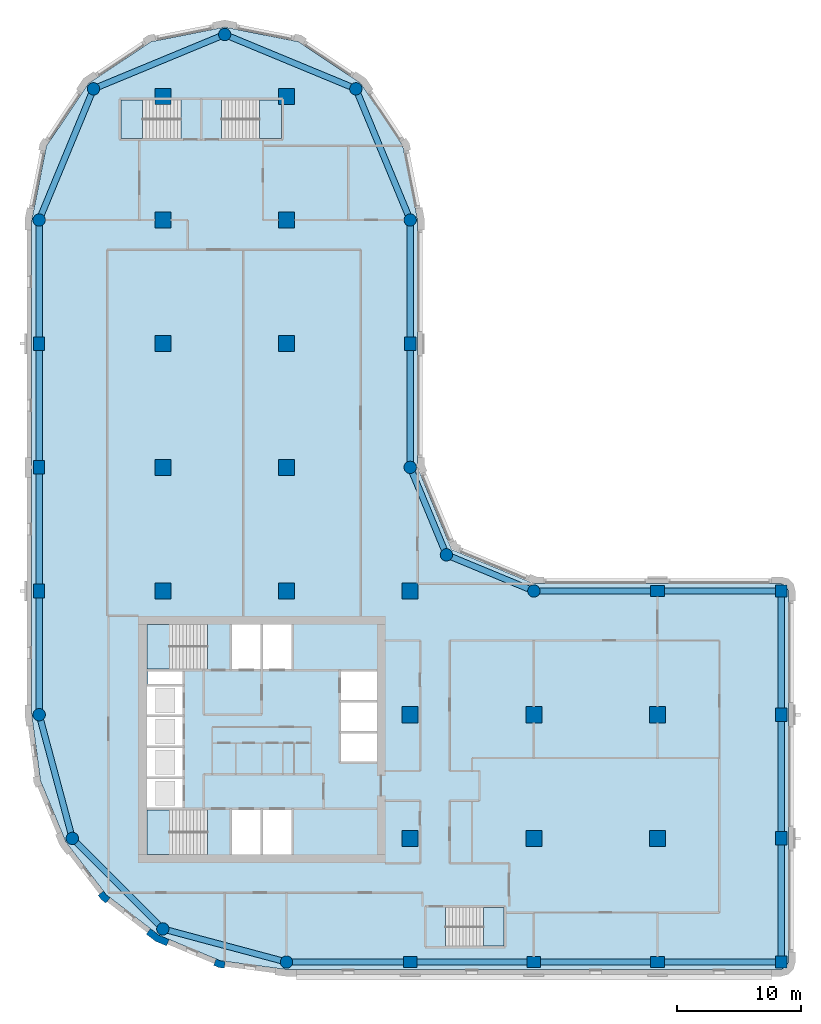
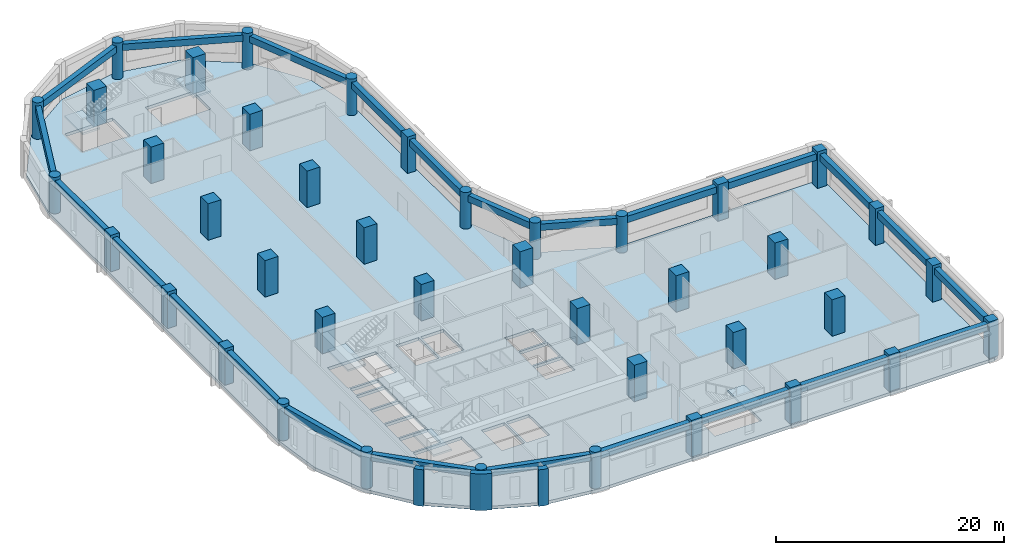
# One storey, part 1 of 9: 41 columns, 24 beams, 6 slabs, 3 walls, 5 elements without a shape of their own.
"""IFC4 building model written with IfcOpenShell, lengths in metres."""

from ifc_helpers import new_model, si_unit, direction, frame, origin, origin_2d, place, context, subcontext, project, spatial, polyline, rectangle, circle, outline, extrude, material, layer, layer_set, material_profile, profile_set, type_object, element, aggregate, save


model = new_model("IFC4")

# Units and contexts
model_context = context("Model", 3, precision=1e-05, world=origin(), true_north=direction((0.0, 1.0)))
body_context = subcontext(model_context, "Body", "Model", "MODEL_VIEW")
ifc_project = project(units=[si_unit("LENGTHUNIT", "METRE"), si_unit("AREAUNIT", "SQUARE_METRE"), si_unit("VOLUMEUNIT", "CUBIC_METRE"), si_unit("PLANEANGLEUNIT", "RADIAN"), si_unit("MASSUNIT", "GRAM", prefix="KILO")], contexts=[model_context])

# Site, building, storey
site_placement = place(None, origin())
site = spatial("IfcSite", under=ifc_project, at=site_placement, CompositionType="ELEMENT")
building_placement = place(site_placement, origin())
building = spatial("IfcBuilding", under=site, at=building_placement, Name="Qaws Garden Tower", CompositionType="ELEMENT")
storey_placement = place(building_placement, frame((0.0, 0.0, 143.39990234375)))
storey = spatial("IfcBuildingStorey", under=building, at=storey_placement, Name="L34", CompositionType="ELEMENT", Elevation=143.39990234375)

# Columns
ifc_material_1 = material(Name="Concrete C70", Category="concrete")
ifc_material_profile_1 = material_profile(ifc_material_1, rectangle(XDim=1.10009765625, YDim=0.89990234375, at=origin_2d()), Name="RC 1100x900")
ifc_profile_set_1 = profile_set([ifc_material_profile_1], Name="Concrete C70")
column_type_1 = type_object("IfcColumnType", Name="Column RC 1100x900 C70", PredefinedType="COLUMN", material=ifc_profile_set_1)
for number, where, z_axis, x_axis, name in (
    (1, (30.0, 0.0, 0.0), (0.0, 0.0, 1.0), (1.0, 0.0, 0.0), "Column L34-002"),
    (2, (40.0, 0.0, 0.0), (0.0, 0.0, 1.0), (1.0, 0.0, 0.0), "Column L34-003"),
    (3, (50.0, 0.0, 0.0), (0.0, 0.0, 1.0), (1.0, 0.0, 0.0), "Column L34-004"),
    (4, (60.0, 10.0, 0.0), (0.0, 0.0, 1.0), (0.0, 1.0, 0.0), "Column L34-006"),
    (5, (60.0, 20.0, 0.0), (0.0, 0.0, 1.0), (0.0, 1.0, 0.0), "Column L34-007"),
    (6, (50.0, 30.0, 0.0), (0.0, 0.0, 1.0), (1.0, 0.0, 0.0), "Column L34-009"),
    (7, (30.0, 50.0, 0.0), (0.0, 0.0, 1.0), (0.0, 1.0, 0.0), "Column L34-013"),
    (8, (0.0, 50.0, 0.0), (0.0, 0.0, 1.0), (0.0, 1.0, 0.0), "Column L34-019"),
    (9, (0.0, 40.0, 0.0), (0.0, 0.0, 1.0), (0.0, 1.0, 0.0), "Column L34-020"),
    (10, (0.0, 30.0, 0.0), (0.0, 0.0, 1.0), (0.0, 1.0, 0.0), "Column L34-021"),
):
    element("IfcColumn", number, at=place(storey_placement, frame(where, z_axis=z_axis, x_axis=x_axis)), inside=storey, type_object=column_type_1, Name=name, PredefinedType="COLUMN", context=body_context, shape_type="SweptSolid", body=[
        extrude(rectangle(XDim=1.10009765625, YDim=0.89990234375, at=origin_2d()), origin(), (0.0, 0.0, 1.0), 3.900146484375),
    ])
ifc_material_2 = material(Name="Concrete C70", Category="concrete")
ifc_material_profile_2 = material_profile(ifc_material_2, rectangle(XDim=1.300048828125, YDim=1.300048828125, at=origin_2d()), Name="RC 1300x1300")
ifc_profile_set_2 = profile_set([ifc_material_profile_2], Name="Concrete C70")
column_type_2 = type_object("IfcColumnType", Name="Column RC 1300x1300 C70", PredefinedType="COLUMN", material=ifc_profile_set_2)
for number, where, z_axis, x_axis, name in (
    (11, (10.0, 30.0, 0.0), (0.0, 0.0, 1.0), (1.0, 0.0, 0.0), "Column L34-025"),
    (12, (10.0, 40.0, 0.0), (0.0, 0.0, 1.0), (1.0, 0.0, 0.0), "Column L34-026"),
    (13, (10.0, 50.0, 0.0), (0.0, 0.0, 1.0), (1.0, 0.0, 0.0), "Column L34-027"),
    (14, (10.0, 60.0, 0.0), (0.0, 0.0, 1.0), (1.0, 0.0, 0.0), "Column L34-028"),
    (15, (10.0, 70.0, 0.0), (0.0, 0.0, 1.0), (1.0, 0.0, 0.0), "Column L34-029"),
    (16, (20.0, 30.0, 0.0), (0.0, 0.0, 1.0), (1.0, 0.0, 0.0), "Column L34-030"),
    (17, (20.0, 40.0, 0.0), (0.0, 0.0, 1.0), (1.0, 0.0, 0.0), "Column L34-031"),
    (18, (20.0, 50.0, 0.0), (0.0, 0.0, 1.0), (1.0, 0.0, 0.0), "Column L34-032"),
    (19, (20.0, 60.0, 0.0), (0.0, 0.0, 1.0), (1.0, 0.0, 0.0), "Column L34-033"),
    (20, (20.0, 70.0, 0.0), (0.0, 0.0, 1.0), (1.0, 0.0, 0.0), "Column L34-034"),
    (21, (30.0, 10.0, 0.0), (0.0, 0.0, 1.0), (1.0, 0.0, 0.0), "Column L34-035"),
    (22, (30.0, 20.0, 0.0), (0.0, 0.0, 1.0), (1.0, 0.0, 0.0), "Column L34-036"),
    (23, (30.0, 30.0, 0.0), (0.0, 0.0, 1.0), (1.0, 0.0, 0.0), "Column L34-037"),
    (24, (40.0, 10.0, 0.0), (0.0, 0.0, 1.0), (1.0, 0.0, 0.0), "Column L34-038"),
    (25, (40.0, 20.0, 0.0), (0.0, 0.0, 1.0), (1.0, 0.0, 0.0), "Column L34-039"),
    (26, (50.0, 10.0, 0.0), (0.0, 0.0, 1.0), (1.0, 0.0, 0.0), "Column L34-040"),
    (27, (50.0, 20.0, 0.0), (0.0, 0.0, 1.0), (1.0, 0.0, 0.0), "Column L34-041"),
):
    element("IfcColumn", number, at=place(storey_placement, frame(where, z_axis=z_axis, x_axis=x_axis)), inside=storey, type_object=column_type_2, Name=name, PredefinedType="COLUMN", context=body_context, shape_type="SweptSolid", body=[
        extrude(rectangle(XDim=1.300048828125, YDim=1.300048828125, at=origin_2d()), origin(), (0.0, 0.0, 1.0), 3.900146484375),
    ])
ifc_material_3 = material(Name="Concrete C70", Category="concrete")
ifc_material_profile_3 = material_profile(ifc_material_3, rectangle(XDim=0.949951171875, YDim=0.949951171875, at=origin_2d()), Name="RC 950x950")
ifc_profile_set_3 = profile_set([ifc_material_profile_3], Name="Concrete C70")
column_type_3 = type_object("IfcColumnType", Name="Column RC 950x950 C70", PredefinedType="COLUMN", material=ifc_profile_set_3)
for number, where, z_axis, x_axis, name in (
    (28, (60.0, 0.0, 0.0), (0.0, 0.0, 1.0), (1.0, 0.0, 0.0), "Column L34-005"),
    (29, (60.0, 30.0, 0.0), (0.0, 0.0, 1.0), (1.0, 0.0, 0.0), "Column L34-008"),
):
    element("IfcColumn", number, at=place(storey_placement, frame(where, z_axis=z_axis, x_axis=x_axis)), inside=storey, type_object=column_type_3, Name=name, PredefinedType="COLUMN", context=body_context, shape_type="SweptSolid", body=[
        extrude(rectangle(XDim=0.949951171875, YDim=0.949951171875, at=origin_2d()), origin(), (0.0, 0.0, 1.0), 3.900146484375),
    ])
ifc_material_4 = material(Name="Concrete C70", Category="concrete")
ifc_material_profile_4 = material_profile(ifc_material_4, circle(Radius=0.5, at=origin_2d()), Name="RC D1000")
ifc_profile_set_4 = profile_set([ifc_material_profile_4], Name="Concrete C70")
column_type_4 = type_object("IfcColumnType", Name="Column RC D1000 C70", PredefinedType="COLUMN", material=ifc_profile_set_4)
for number, where, z_axis, x_axis, name in (
    (30, (20.0, 0.0, 0.0), (0.0, 0.0, 1.0), (1.0, 0.0, 0.0), "Column L34-001"),
    (31, (40.0, 30.0, 0.0), (0.0, 0.0, 1.0), (1.0, 0.0, 0.0), "Column L34-010"),
    (32, (32.928955078125, 32.928955078125, 0.0), (0.0, 0.0, 1.0), (1.0, 0.0, 0.0), "Column L34-011"),
    (33, (30.0, 40.0, 0.0), (0.0, 0.0, 1.0), (1.0, 0.0, 0.0), "Column L34-012"),
    (34, (30.0, 60.0, 0.0), (0.0, 0.0, 1.0), (1.0, 0.0, 0.0), "Column L34-014"),
    (35, (25.606689453125, 70.606689453125, 0.0), (0.0, 0.0, 1.0), (1.0, 0.0, 0.0), "Column L34-015"),
    (36, (15.0, 75.0, 0.0), (0.0, 0.0, 1.0), (1.0, 0.0, 0.0), "Column L34-016"),
    (37, (4.393310546875, 70.606689453125, 0.0), (0.0, 0.0, 1.0), (1.0, 0.0, 0.0), "Column L34-017"),
    (38, (0.0, 60.0, 0.0), (0.0, 0.0, 1.0), (1.0, 0.0, 0.0), "Column L34-018"),
    (39, (0.0, 20.0, 0.0), (0.0, 0.0, 1.0), (1.0, 0.0, 0.0), "Column L34-022"),
    (40, (2.679443359375, 10.0, 0.0), (0.0, 0.0, 1.0), (1.0, 0.0, 0.0), "Column L34-023"),
    (41, (10.0, 2.679443359375, 0.0), (0.0, 0.0, 1.0), (1.0, 0.0, 0.0), "Column L34-024"),
):
    element("IfcColumn", number, at=place(storey_placement, frame(where, z_axis=z_axis, x_axis=x_axis)), inside=storey, type_object=column_type_4, Name=name, PredefinedType="COLUMN", context=body_context, shape_type="SweptSolid", body=[
        extrude(circle(Radius=0.5, at=origin_2d()), origin(), (0.0, 0.0, 1.0), 3.900146484375),
    ])

# Beams
ifc_material_5 = material(Name="Concrete C45", Category="concrete")
ifc_material_profile_5 = material_profile(ifc_material_5, rectangle(XDim=0.5, YDim=0.699951171875, at=origin_2d()), Name="RC 500x700")
ifc_profile_set_5 = profile_set([ifc_material_profile_5], Name="Concrete C45")
beam_type = type_object("IfcBeamType", Name="Spandrel beam RC 500x700 C45", PredefinedType="SPANDREL", material=ifc_profile_set_5)
for number, where, z_axis, x_axis, name in (
    (42, (20.0, 0.0, 3.22998046875), (1.0, 0.0, 0.0), (0.0, 1.0, 0.0), "Spandrel beam L34-001"),
    (43, (30.0, 0.0, 3.22998046875), (1.0, 0.0, 0.0), (0.0, 1.0, 0.0), "Spandrel beam L34-002"),
    (44, (40.0, 0.0, 3.22998046875), (1.0, 0.0, 0.0), (0.0, 1.0, 0.0), "Spandrel beam L34-003"),
    (45, (50.0, 0.0, 3.22998046875), (1.0, 0.0, 0.0), (0.0, 1.0, 0.0), "Spandrel beam L34-004"),
    (46, (60.0, 0.0, 3.22998046875), (0.0, 1.0, 0.0), (-1.0, 0.0, 0.0), "Spandrel beam L34-005"),
    (47, (60.0, 10.0, 3.22998046875), (0.0, 1.0, 0.0), (-1.0, 0.0, 0.0), "Spandrel beam L34-006"),
    (48, (60.0, 20.0, 3.22998046875), (0.0, 1.0, 0.0), (-1.0, 0.0, 0.0), "Spandrel beam L34-007"),
    (49, (60.0, 30.0, 3.22998046875), (-1.0, 0.0, 0.0), (0.0, -1.0, 0.0), "Spandrel beam L34-008"),
    (50, (50.0, 30.0, 3.22998046875), (-1.0, 0.0, 0.0), (0.0, -1.0, 0.0), "Spandrel beam L34-009"),
):
    element("IfcBeam", number, at=place(storey_placement, frame(where, z_axis=z_axis, x_axis=x_axis)), inside=storey, type_object=beam_type, Name=name, PredefinedType="SPANDREL", context=body_context, shape_type="SweptSolid", body=[
        extrude(rectangle(XDim=0.5, YDim=0.699951171875, at=origin_2d()), origin(), (0.0, 0.0, 1.0), 10.0),
    ])
for number, where, z_axis, x_axis, name in (
    (51, (40.0, 30.0, 3.22998046875), (-0.923878037141, 0.382687042488, 0.0), (-0.382687042488, -0.923878037141, 0.0), "Spandrel beam L34-010"),
    (52, (32.928955078125, 32.928955078125, 3.22998046875), (-0.382687042488, 0.923878037141, 0.0), (-0.923878037141, -0.382687042488, 0.0), "Spandrel beam L34-011"),
):
    element("IfcBeam", number, at=place(storey_placement, frame(where, z_axis=z_axis, x_axis=x_axis)), inside=storey, type_object=beam_type, Name=name, PredefinedType="SPANDREL", context=body_context, shape_type="SweptSolid", body=[
        extrude(rectangle(XDim=0.5, YDim=0.699951171875, at=origin_2d()), origin(), (0.0, 0.0, 1.0), 7.653564453125),
    ])
for number, where, z_axis, x_axis, name in (
    (53, (30.0, 40.0, 3.22998046875), (0.0, 1.0, 0.0), (-1.0, 0.0, 0.0), "Spandrel beam L34-012"),
    (54, (30.0, 50.0, 3.22998046875), (0.0, 1.0, 0.0), (-1.0, 0.0, 0.0), "Spandrel beam L34-013"),
):
    element("IfcBeam", number, at=place(storey_placement, frame(where, z_axis=z_axis, x_axis=x_axis)), inside=storey, type_object=beam_type, Name=name, PredefinedType="SPANDREL", context=body_context, shape_type="SweptSolid", body=[
        extrude(rectangle(XDim=0.5, YDim=0.699951171875, at=origin_2d()), origin(), (0.0, 0.0, 1.0), 10.0),
    ])
for number, where, z_axis, x_axis, name in (
    (55, (30.0, 60.0, 3.22998046875), (-0.382674207535, 0.923883353507, 0.0), (-0.923883353507, -0.382674207535, 0.0), "Spandrel beam L34-014"),
    (56, (25.606689453125, 70.606689453125, 3.22998046875), (-0.923883353507, 0.382674207535, 0.0), (-0.382674207535, -0.923883353507, 0.0), "Spandrel beam L34-015"),
    (57, (15.0, 75.0, 3.22998046875), (-0.923883353507, -0.382674207535, 0.0), (0.382674207535, -0.923883353507, 0.0), "Spandrel beam L34-016"),
    (58, (4.393310546875, 70.606689453125, 3.22998046875), (-0.382674207535, -0.923883353507, 0.0), (0.923883353507, -0.382674207535, 0.0), "Spandrel beam L34-017"),
):
    element("IfcBeam", number, at=place(storey_placement, frame(where, z_axis=z_axis, x_axis=x_axis)), inside=storey, type_object=beam_type, Name=name, PredefinedType="SPANDREL", context=body_context, shape_type="SweptSolid", body=[
        extrude(rectangle(XDim=0.5, YDim=0.699951171875, at=origin_2d()), origin(), (0.0, 0.0, 1.0), 11.48046875),
    ])
for number, where, z_axis, x_axis, name in (
    (59, (0.0, 60.0, 3.22998046875), (0.0, -1.0, 0.0), (1.0, 0.0, 0.0), "Spandrel beam L34-018"),
    (60, (0.0, 50.0, 3.22998046875), (0.0, -1.0, 0.0), (1.0, 0.0, 0.0), "Spandrel beam L34-019"),
    (61, (0.0, 40.0, 3.22998046875), (0.0, -1.0, 0.0), (1.0, 0.0, 0.0), "Spandrel beam L34-020"),
    (62, (0.0, 30.0, 3.22998046875), (0.0, -1.0, 0.0), (1.0, 0.0, 0.0), "Spandrel beam L34-021"),
):
    element("IfcBeam", number, at=place(storey_placement, frame(where, z_axis=z_axis, x_axis=x_axis)), inside=storey, type_object=beam_type, Name=name, PredefinedType="SPANDREL", context=body_context, shape_type="SweptSolid", body=[
        extrude(rectangle(XDim=0.5, YDim=0.699951171875, at=origin_2d()), origin(), (0.0, 0.0, 1.0), 10.0),
    ])
for number, where, z_axis, x_axis, name in (
    (63, (0.0, 20.0, 3.22998046875), (0.25881466832, -0.965926999034, 0.0), (0.965926999034, 0.25881466832, 0.0), "Spandrel beam L34-022"),
    (64, (2.679443359375, 10.0, 3.22998046875), (0.707106781187, -0.707106781187, 0.0), (0.707106781187, 0.707106781187, 0.0), "Spandrel beam L34-023"),
    (65, (10.0, 2.679443359375, 3.22998046875), (0.965926999034, -0.25881466832, 0.0), (0.25881466832, 0.965926999034, 0.0), "Spandrel beam L34-024"),
):
    element("IfcBeam", number, at=place(storey_placement, frame(where, z_axis=z_axis, x_axis=x_axis)), inside=storey, type_object=beam_type, Name=name, PredefinedType="SPANDREL", context=body_context, shape_type="SweptSolid", body=[
        extrude(rectangle(XDim=0.5, YDim=0.699951171875, at=origin_2d()), origin(), (0.0, 0.0, 1.0), 10.352783203125),
    ])

# Slab
ifc_material_6 = material(Name="Concrete C40", Category="concrete")
ifc_layer_1 = layer(ifc_material_6, 0.320068359375)
ifc_layer_set_1 = layer_set([ifc_layer_1], Name="Concrete C40")
slab_type_1 = type_object("IfcSlabType", Name="Floor slab 320 C40", PredefinedType="FLOOR", material=ifc_layer_set_1)
slab_1_placement = place(storey_placement, frame((0.0, 0.0, -0.31982421875)))
element("IfcSlab", 66, at=slab_1_placement, inside=storey, type_object=slab_type_1, Name="Floor slab L34", PredefinedType="FLOOR", context=body_context, shape_type="SweptSolid", body=[
    extrude(outline(polyline([(0.101806640625, 14.668212890625), (-0.60009765625, 20.0), (-0.60009765625, 30.60009765625), (-0.60009765625, 60.0), (-0.60009765625, 60.0), (0.58740234375, 65.969970703125), (3.968994140625, 71.031005859375), (9.030029296875, 74.41259765625), (15.0, 75.60009765625), (20.969970703125, 74.41259765625), (26.031005859375, 71.031005859375), (29.41259765625, 65.969970703125), (30.60009765625, 60.0), (30.60009765625, 40.0), (33.353271484375, 33.353271484375), (40.0, 30.60009765625), (60.0, 30.60009765625), (60.42431640625, 30.42431640625), (60.60009765625, 30.0), (60.60009765625, 0.0), (60.42431640625, -0.42431640625), (60.0, -0.60009765625), (30.60009765625, -0.60009765625), (20.0, -0.60009765625), (14.668212890625, 0.101806640625), (9.699951171875, 2.159912109375), (5.43359375, 5.43359375), (2.159912109375, 9.699951171875), (0.101806640625, 14.668212890625)]), holes=[polyline([(13.599609375, 12.300048828125), (8.699951171875, 12.300048828125), (8.699951171875, 8.699951171875), (13.599609375, 8.699951171875), (13.599609375, 12.300048828125)]), polyline([(17.89990234375, 12.300048828125), (15.60009765625, 12.300048828125), (15.60009765625, 8.699951171875), (17.89990234375, 8.699951171875), (17.89990234375, 12.300048828125)]), polyline([(11.60009765625, 14.800048828125), (8.699951171875, 14.800048828125), (8.699951171875, 12.5), (11.60009765625, 12.5), (11.60009765625, 14.800048828125)]), polyline([(11.60009765625, 17.300048828125), (8.699951171875, 17.300048828125), (8.699951171875, 15.0), (11.60009765625, 15.0), (11.60009765625, 17.300048828125)]), polyline([(11.60009765625, 19.800048828125), (8.699951171875, 19.800048828125), (8.699951171875, 17.5), (11.60009765625, 17.5), (11.60009765625, 19.800048828125)]), polyline([(11.60009765625, 22.300048828125), (8.699951171875, 22.300048828125), (8.699951171875, 20.0), (11.60009765625, 20.0), (11.60009765625, 22.300048828125)]), polyline([(11.60009765625, 23.5), (8.800048828125, 23.5), (8.800048828125, 22.5), (11.60009765625, 22.5), (11.60009765625, 23.5)]), polyline([(13.599609375, 27.300048828125), (8.699951171875, 27.300048828125), (8.699951171875, 23.699951171875), (13.599609375, 23.699951171875), (13.599609375, 27.300048828125)]), polyline([(11.449462890625, 69.699951171875), (6.60009765625, 69.699951171875), (6.60009765625, 66.60009765625), (11.449462890625, 66.60009765625), (11.449462890625, 69.699951171875)]), polyline([(37.60009765625, 4.39990234375), (32.8505859375, 4.39990234375), (32.8505859375, 1.300048828125), (37.60009765625, 1.300048828125), (37.60009765625, 4.39990234375)]), polyline([(20.39990234375, 12.300048828125), (18.10009765625, 12.300048828125), (18.10009765625, 8.699951171875), (20.39990234375, 8.699951171875), (20.39990234375, 12.300048828125)]), polyline([(27.300048828125, 18.5), (24.39990234375, 18.5), (24.39990234375, 16.199951171875), (27.300048828125, 16.199951171875), (27.300048828125, 18.5)]), polyline([(27.300048828125, 21.0), (24.39990234375, 21.0), (24.39990234375, 18.699951171875), (27.300048828125, 18.699951171875), (27.300048828125, 21.0)]), polyline([(27.300048828125, 23.5), (24.39990234375, 23.5), (24.39990234375, 21.199951171875), (27.300048828125, 21.199951171875), (27.300048828125, 23.5)]), polyline([(17.89990234375, 27.300048828125), (15.60009765625, 27.300048828125), (15.60009765625, 23.699951171875), (17.89990234375, 23.699951171875), (17.89990234375, 27.300048828125)]), polyline([(20.39990234375, 23.699951171875), (20.39990234375, 27.300048828125), (18.10009765625, 27.300048828125), (18.10009765625, 23.699951171875), (20.39990234375, 23.699951171875)]), polyline([(19.60009765625, 66.60009765625), (19.60009765625, 69.699951171875), (14.75048828125, 69.699951171875), (14.75048828125, 66.60009765625), (19.60009765625, 66.60009765625)])]), origin(), (0.0, 0.0, 1.0), 0.31982421875),
])

# Stair, slab
ifc_material_7 = material(Name="Concrete C40", Category="concrete")
stair_type_1 = type_object("IfcStairType", Name="Exit stair 1500", PredefinedType="HALF_TURN_STAIR", material=ifc_material_7)
placement_1 = place(storey_placement, origin())
stair_1 = element("IfcStair", 67, at=placement_1, inside=storey, type_object=stair_type_1, Name="Stair 1", PredefinedType="HALF_TURN_STAIR")
ifc_material_8 = material(Name="Concrete C40", Category="concrete")
ifc_layer_2 = layer(ifc_material_8, 0.199951171875)
ifc_layer_set_2 = layer_set([ifc_layer_2], Name="Concrete C40")
slab_type_2 = type_object("IfcSlabType", Name="Stair landing 200", PredefinedType="LANDING", material=ifc_layer_set_2)
placement_2 = place(storey_placement, frame((0.0, 0.0, 1.75)))
slab_2 = element("IfcSlab", 68, at=placement_2, type_object=slab_type_2, Name="ST1 landing 1", PredefinedType="LANDING", context=body_context, shape_type="SweptSolid", body=[
    extrude(outline(polyline([(8.699951171875, 8.699951171875), (10.52001953125, 8.699951171875), (10.52001953125, 12.300048828125), (8.699951171875, 12.300048828125), (8.699951171875, 8.699951171875)])), origin(), (0.0, 0.0, 1.0), 0.2001953125),
])
aggregate(stair_1, [slab_2])

stair_2 = element("IfcStair", 69, at=placement_1, inside=storey, type_object=stair_type_1, Name="Stair 4", PredefinedType="HALF_TURN_STAIR")
slab_3 = element("IfcSlab", 70, at=placement_2, type_object=slab_type_2, Name="ST4 landing 1", PredefinedType="LANDING", context=body_context, shape_type="SweptSolid", body=[
    extrude(outline(polyline([(8.699951171875, 23.699951171875), (10.52001953125, 23.699951171875), (10.52001953125, 27.300048828125), (8.699951171875, 27.300048828125), (8.699951171875, 23.699951171875)])), origin(), (0.0, 0.0, 1.0), 0.2001953125),
])
aggregate(stair_2, [slab_3])

ifc_material_9 = material(Name="Concrete C40", Category="concrete")
stair_type_2 = type_object("IfcStairType", Name="Exit stair 1350", PredefinedType="HALF_TURN_STAIR", material=ifc_material_9)
stair_3 = element("IfcStair", 71, at=placement_1, inside=storey, type_object=stair_type_2, Name="Stair 5", PredefinedType="HALF_TURN_STAIR")
slab_4 = element("IfcSlab", 72, at=placement_2, type_object=slab_type_2, Name="ST5 landing 1", PredefinedType="LANDING", context=body_context, shape_type="SweptSolid", body=[
    extrude(outline(polyline([(35.929931640625, 1.300048828125), (37.60009765625, 1.300048828125), (37.60009765625, 4.39990234375), (35.929931640625, 4.39990234375), (35.929931640625, 1.300048828125)])), origin(), (0.0, 0.0, 1.0), 0.2001953125),
])
aggregate(stair_3, [slab_4])

stair_4 = element("IfcStair", 73, at=placement_1, inside=storey, type_object=stair_type_2, Name="Stair 6", PredefinedType="HALF_TURN_STAIR")
slab_5 = element("IfcSlab", 74, at=placement_2, type_object=slab_type_2, Name="ST6 landing 1", PredefinedType="LANDING", context=body_context, shape_type="SweptSolid", body=[
    extrude(outline(polyline([(6.60009765625, 66.60009765625), (8.3701171875, 66.60009765625), (8.3701171875, 69.699951171875), (6.60009765625, 69.699951171875), (6.60009765625, 66.60009765625)])), origin(), (0.0, 0.0, 1.0), 0.2001953125),
])
aggregate(stair_4, [slab_5])

stair_5 = element("IfcStair", 75, at=placement_1, inside=storey, type_object=stair_type_2, Name="Stair 7", PredefinedType="HALF_TURN_STAIR")
slab_6 = element("IfcSlab", 76, at=placement_2, type_object=slab_type_2, Name="ST7 landing 1", PredefinedType="LANDING", context=body_context, shape_type="SweptSolid", body=[
    extrude(outline(polyline([(17.830078125, 66.60009765625), (19.60009765625, 66.60009765625), (19.60009765625, 69.699951171875), (17.830078125, 69.699951171875), (17.830078125, 66.60009765625)])), origin(), (0.0, 0.0, 1.0), 0.2001953125),
])
aggregate(stair_5, [slab_6])

# Walls
ifc_material_10 = material(Name="Clay facing brick masonry", Category="masonry")
ifc_layer_3 = layer(ifc_material_10, 0.550048828125)
ifc_layer_set_3 = layer_set([ifc_layer_3], Name="Clay facing brick masonry")
wall_type_1 = type_object("IfcWallType", Name="Brick kink pier 550 x 600", PredefinedType="SOLIDWALL", material=ifc_layer_set_3)
element("IfcWall", 77, at=placement_1, inside=storey, type_object=wall_type_1, Name="E-L34-pier-28", PredefinedType="SOLIDWALL", context=body_context, shape_type="SweptSolid", body=[
    extrude(outline(polyline([(4.8818359375, 5.487060546875), (4.762939453125, 5.395751953125), (5.03759765625, 5.03759765625), (5.395751953125, 4.762939453125), (5.487060546875, 4.8818359375), (5.730712890625, 5.19921875), (5.429931640625, 5.429931640625), (5.19921875, 5.730712890625), (4.8818359375, 5.487060546875)])), origin(), (0.0, 0.0, 1.0), 3.900146484375),
])
element("IfcWall", 78, at=placement_1, inside=storey, type_object=wall_type_1, Name="E-L34-pier-30", PredefinedType="SOLIDWALL", context=body_context, shape_type="SweptSolid", body=[
    extrude(outline(polyline([(14.163818359375, -0.127685546875), (14.1064453125, -0.26611328125), (14.5234375, -0.43896484375), (14.970947265625, -0.497802734375), (14.990478515625, -0.34912109375), (15.042724609375, 0.04736328125), (14.6669921875, 0.096923828125), (14.31689453125, 0.241943359375), (14.163818359375, -0.127685546875)])), origin(), (0.0, 0.0, 1.0), 3.900146484375),
])
ifc_material_11 = material(Name="Clay facing brick masonry", Category="masonry")
ifc_layer_4 = layer(ifc_material_11, 0.550048828125)
ifc_layer_set_4 = layer_set([ifc_layer_4], Name="Clay facing brick masonry")
wall_type_2 = type_object("IfcWallType", Name="Brick pier 550 x 1600", PredefinedType="SOLIDWALL", material=ifc_layer_set_4)
element("IfcWall", 79, at=placement_1, inside=storey, type_object=wall_type_2, Name="E-L34-pier-29", PredefinedType="SOLIDWALL", context=body_context, shape_type="SweptSolid", body=[
    extrude(outline(polyline([(8.756591796875, 2.373046875), (8.665283203125, 2.254150390625), (9.419921875, 1.675048828125), (10.299072265625, 1.310791015625), (10.3564453125, 1.449462890625), (10.509521484375, 1.819091796875), (9.697509765625, 2.1552734375), (9.0, 2.6904296875), (8.756591796875, 2.373046875)])), origin(), (0.0, 0.0, 1.0), 3.900146484375),
])

save(model, "model.ifc")
